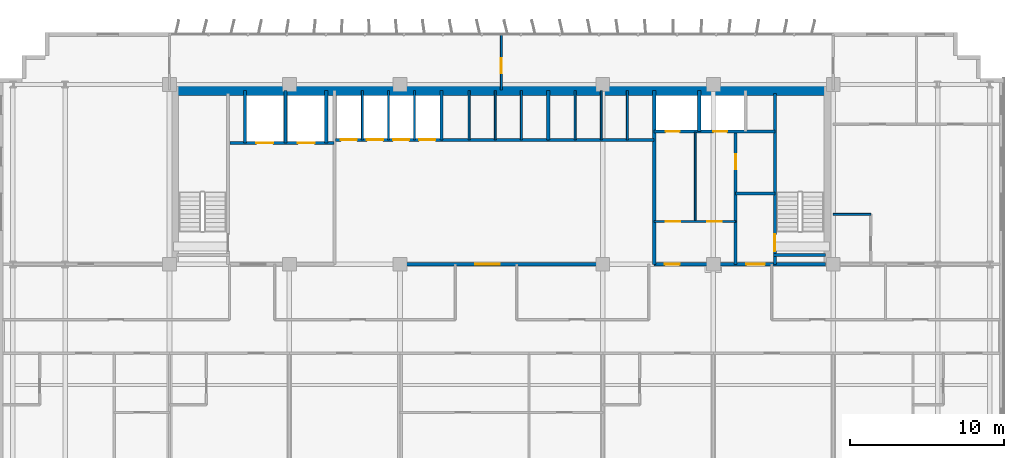
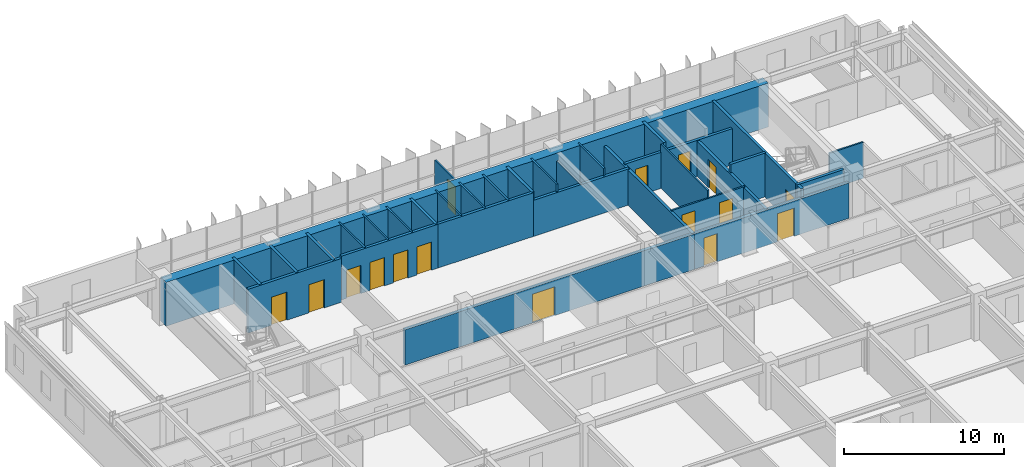
# One storey, part 18 of 22: 32 walls, 16 doors, 16 openings.
"""IFC4 building model written with IfcOpenShell, lengths in metres."""

from ifc_helpers import new_model, si_unit, direction, frame, frame_2d, origin, place, context, subcontext, project, spatial, rectangle, extrude, source, transform, mapped, material, layer, layer_set, type_object, element, fill, save


model = new_model("IFC4")

# Units and contexts
model_context = context("Model", 3, precision=1e-05, world=origin(), true_north=direction((0.0, 1.0)))
body_context = subcontext(model_context, "Body", "Model", "MODEL_VIEW")
ifc_project = project(units=[si_unit("LENGTHUNIT", "METRE"), si_unit("AREAUNIT", "SQUARE_METRE"), si_unit("VOLUMEUNIT", "CUBIC_METRE"), si_unit("PLANEANGLEUNIT", "RADIAN"), si_unit("MASSUNIT", "GRAM", prefix="KILO")], contexts=[model_context])

# Site, building, storey
site_placement = place(None, origin())
site = spatial("IfcSite", under=ifc_project, at=site_placement, CompositionType="ELEMENT")
building_placement = place(site_placement, origin())
building = spatial("IfcBuilding", under=site, at=building_placement, Name="Trelvane Seafront Commons", CompositionType="ELEMENT")
storey_placement = place(building_placement, frame((0.0, 0.0, 45.10009765625)))
storey = spatial("IfcBuildingStorey", under=building, at=storey_placement, Name="L11", CompositionType="ELEMENT", Elevation=45.10009765625)

# Wall, opening, door
ifc_material_1 = material(Name="Concrete C40/50", Category="concrete")
ifc_layer_1 = layer(ifc_material_1, 0.199951171875, Name="ARCH-WALL-FIRE200")
ifc_layer_set_1 = layer_set([ifc_layer_1], Name="Concrete C40/50")
wall_type_1 = type_object("IfcWallType", Name="ARCH-WALL-FIRE200", PredefinedType="PARTITIONING", material=ifc_layer_set_1)
wall_1_placement = place(storey_placement, frame((52.449951171875, 33.39990234375, 0.0), z_axis=(0.0, 0.0, 1.0), x_axis=(0.0, 1.0, 0.0)))
wall_1 = element("IfcWall", 1, at=wall_1_placement, inside=storey, type_object=wall_type_1, Name="W-L11-ST2V-W-033", PredefinedType="PARTITIONING", context=body_context, shape_type="SweptSolid", body=[
    extrude(rectangle(XDim=8.650146484375, YDim=0.199951171875, at=frame_2d((4.3251953125, 0.0))), origin(), (0.0, 0.0, 1.0), 2.68994140625),
])
opening_1_placement = place(wall_1_placement, frame((6.199951171875, 0.0, 0.0)))
opening_1 = element("IfcOpeningElement", 2, at=opening_1_placement, cuts=wall_1, Name="Opening FD-L11-13", PredefinedType="OPENING", context=body_context, shape_type="SweptSolid", body=[
    extrude(rectangle(XDim=0.949951171875, YDim=2.14990234375, at=frame_2d((0.47509765625, 1.074951171875))), frame((0.0, 0.10986328125, 0.0), z_axis=(0.0, -1.0, 0.0), x_axis=(1.0, 0.0, 0.0)), (0.0, 0.0, 1.0), 0.219970703125),
])
ifc_material_2 = material(Name="Powder-coated aluminium frame", Category="aluminium")
door_type_1 = type_object("IfcDoorType", Name="ARCH-DR-FD60-950", OperationType="NOTDEFINED", PredefinedType="DOOR", material=ifc_material_2)
shared_shape_1 = source(origin(), body_context, "Body", "SweptSolid", [
    extrude(rectangle(XDim=0.949951171875, YDim=2.14990234375, at=frame_2d((0.47509765625, 1.074951171875))), frame((0.0, 0.02490234375, 0.0), z_axis=(0.0, -1.0, 0.0), x_axis=(1.0, 0.0, 0.0)), (0.0, 0.0, 1.0), 0.050048828125),
])
door_1_placement = place(opening_1_placement, origin())
door_1 = element("IfcDoor", 3, at=door_1_placement, inside=storey, type_object=door_type_1, Name="L11 Cleaner Store Door", OperationType="SINGLE_SWING_LEFT", OverallHeight=2.14990234375, OverallWidth=0.949951171875, PredefinedType="DOOR", context=body_context, shape_type="MappedRepresentation", body=[
    mapped(shared_shape_1, transform((0.0, 0.0, 0.0), x_axis=(1.0, 0.0, 0.0), y_axis=(0.0, 1.0, 0.0), z_axis=(0.0, 0.0, 1.0), scale=1.0)),
])
fill(opening_1, door_1)

# Wall
wall_2_placement = place(storey_placement, frame((52.449951171875, 38.0, 0.0), z_axis=(0.0, 0.0, 1.0), x_axis=(1.0, 0.0, 0.0)))
element("IfcWall", 4, at=wall_2_placement, inside=storey, type_object=wall_type_1, Name="W-L11-ST2V-N-034", PredefinedType="PARTITIONING", context=body_context, shape_type="SweptSolid", body=[
    extrude(rectangle(XDim=2.550048828125, YDim=0.199951171875, at=frame_2d((1.27490234375, 0.0))), origin(), (0.0, 0.0, 1.0), 3.33984375),
])

# Wall, opening, door
ifc_layer_2 = layer(ifc_material_1, 0.25, Name="ARCH-WALL-FIRE250")
ifc_layer_set_2 = layer_set([ifc_layer_2], Name="Concrete C40/50")
wall_type_2 = type_object("IfcWallType", Name="ARCH-WALL-FIRE250", PredefinedType="PARTITIONING", material=ifc_layer_set_2)
wall_3_placement = place(storey_placement, frame((26.300048828125, 33.39990234375, 0.0), z_axis=(0.0, 0.0, 1.0), x_axis=(1.0, 0.0, 0.0)))
wall_3 = element("IfcWall", 5, at=wall_3_placement, inside=storey, type_object=wall_type_2, Name="W-L11-CS-PAX-029", PredefinedType="PARTITIONING", context=body_context, shape_type="SweptSolid", body=[
    extrude(rectangle(XDim=20.849853515625, YDim=0.25, at=frame_2d((10.4248046875, 0.0))), origin(), (0.0, 0.0, 1.0), 2.68994140625),
])
opening_2_placement = place(wall_3_placement, frame((9.199951171875, 0.0, 0.0)))
opening_2 = element("IfcOpeningElement", 6, at=opening_2_placement, cuts=wall_3, Name="Opening FD-L11-10", PredefinedType="OPENING", context=body_context, shape_type="SweptSolid", body=[
    extrude(rectangle(XDim=1.60009765625, YDim=2.199951171875, at=frame_2d((0.800048828125, 1.10009765625))), frame((0.0, 0.135009765625, 0.0), z_axis=(0.0, -1.0, 0.0), x_axis=(1.0, 0.0, 0.0)), (0.0, 0.0, 1.0), 0.27001953125),
])
door_type_2 = type_object("IfcDoorType", Name="ARCH-DR-FD60-1600", OperationType="DOUBLE_DOOR_SINGLE_SWING", PredefinedType="DOOR", material=ifc_material_2)
shared_shape_2 = source(origin(), body_context, "Body", "SweptSolid", [
    extrude(rectangle(XDim=1.60009765625, YDim=2.199951171875, at=frame_2d((0.800048828125, 1.10009765625))), frame((0.0, 0.02490234375, 0.0), z_axis=(0.0, -1.0, 0.0), x_axis=(1.0, 0.0, 0.0)), (0.0, 0.0, 1.0), 0.050048828125),
])
door_2_placement = place(opening_2_placement, origin())
door_2 = element("IfcDoor", 7, at=door_2_placement, inside=storey, type_object=door_type_2, Name="L11 Passenger Lift Lobby Double Door", OperationType="DOUBLE_DOOR_SINGLE_SWING", OverallHeight=2.199951171875, OverallWidth=1.60009765625, PredefinedType="DOOR", context=body_context, shape_type="MappedRepresentation", body=[
    mapped(shared_shape_2, transform((0.0, 0.0, 0.0), x_axis=(1.0, 0.0, 0.0), y_axis=(0.0, 1.0, 0.0), z_axis=(0.0, 0.0, 1.0), scale=1.0)),
])
fill(opening_2, door_2)

# Wall, openings, doors
wall_4_placement = place(storey_placement, frame((47.14990234375, 33.39990234375, 0.0), z_axis=(0.0, 0.0, 1.0), x_axis=(1.0, 0.0, 0.0)))
wall_4 = element("IfcWall", 8, at=wall_4_placement, inside=storey, type_object=wall_type_2, Name="W-L11-CS-EAST-037", PredefinedType="PARTITIONING", context=body_context, shape_type="SweptSolid", body=[
    extrude(rectangle(XDim=11.150146484375, YDim=0.25, at=frame_2d((5.5751953125, 0.0))), origin(), (0.0, 0.0, 1.0), 2.68994140625),
])
opening_3_placement = place(wall_4_placement, frame((0.699951171875, 0.0, 0.0)))
opening_3 = element("IfcOpeningElement", 9, at=opening_3_placement, cuts=wall_4, Name="Opening FD-L11-16", PredefinedType="OPENING", context=body_context, shape_type="SweptSolid", body=[
    extrude(rectangle(XDim=0.949951171875, YDim=2.14990234375, at=frame_2d((0.47509765625, 1.074951171875))), frame((0.0, 0.135009765625, 0.0), z_axis=(0.0, -1.0, 0.0), x_axis=(1.0, 0.0, 0.0)), (0.0, 0.0, 1.0), 0.27001953125),
])
opening_4_placement = place(wall_4_placement, frame((6.0, 0.0, 0.0)))
opening_4 = element("IfcOpeningElement", 10, at=opening_4_placement, cuts=wall_4, Name="Opening FD-L11-17", PredefinedType="OPENING", context=body_context, shape_type="SweptSolid", body=[
    extrude(rectangle(XDim=1.199951171875, YDim=2.14990234375, at=frame_2d((0.60009765625, 1.074951171875))), frame((0.0, 0.135009765625, 0.0), z_axis=(0.0, -1.0, 0.0), x_axis=(1.0, 0.0, 0.0)), (0.0, 0.0, 1.0), 0.27001953125),
])
door_3_placement = place(opening_3_placement, origin())
door_3 = element("IfcDoor", 11, at=door_3_placement, inside=storey, type_object=door_type_1, Name="L11 Core Service Lobby Door", OperationType="SINGLE_SWING_RIGHT", OverallHeight=2.14990234375, OverallWidth=0.949951171875, PredefinedType="DOOR", context=body_context, shape_type="MappedRepresentation", body=[
    mapped(shared_shape_1, transform((0.0, 0.0, 0.0), x_axis=(1.0, 0.0, 0.0), y_axis=(0.0, 1.0, 0.0), z_axis=(0.0, 0.0, 1.0), scale=1.0)),
])
fill(opening_3, door_3)
door_type_3 = type_object("IfcDoorType", Name="ARCH-DR-FD60-1200", OperationType="NOTDEFINED", PredefinedType="DOOR", material=ifc_material_2)
shared_shape_3 = source(origin(), body_context, "Body", "SweptSolid", [
    extrude(rectangle(XDim=1.199951171875, YDim=2.14990234375, at=frame_2d((0.60009765625, 1.074951171875))), frame((0.0, 0.02490234375, 0.0), z_axis=(0.0, -1.0, 0.0), x_axis=(1.0, 0.0, 0.0)), (0.0, 0.0, 1.0), 0.050048828125),
])
door_4_placement = place(opening_4_placement, origin())
door_4 = element("IfcDoor", 12, at=door_4_placement, inside=storey, type_object=door_type_3, Name="L11 East Stair Vestibule Fire Door", OperationType="SINGLE_SWING_LEFT", OverallHeight=2.14990234375, OverallWidth=1.199951171875, PredefinedType="DOOR", context=body_context, shape_type="MappedRepresentation", body=[
    mapped(shared_shape_3, transform((0.0, 0.0, 0.0), x_axis=(1.0, 0.0, 0.0), y_axis=(0.0, 1.0, 0.0), z_axis=(0.0, 0.0, 1.0), scale=1.0)),
])
fill(opening_4, door_4)

# Walls
ifc_material_3 = material(Name="Gypsum Drywall Acoustic Partition")
ifc_layer_3 = layer(ifc_material_3, 0.1201171875, Name="ARCH-WALL-PART120")
ifc_layer_set_3 = layer_set([ifc_layer_3], Name="Gypsum Drywall Acoustic Partition")
wall_type_3 = type_object("IfcWallType", Name="ARCH-WALL-PART120", PredefinedType="PARTITIONING", material=ifc_layer_set_3)
for number, where, z_axis, x_axis, name in (
    (13, (28.14990234375, 41.5, 0.0), (0.0, 0.0, 1.0), (0.0, 1.0, 0.0), "W-L11-PL-DIV1-016"),
    (14, (29.85009765625, 41.5, 0.0), (0.0, 0.0, 1.0), (0.0, 1.0, 0.0), "W-L11-PL-DIV2-017"),
    (15, (31.550048828125, 41.5, 0.0), (0.0, 0.0, 1.0), (0.0, 1.0, 0.0), "W-L11-PL-DIV3-018"),
    (16, (35.10009765625, 41.5, 0.0), (0.0, 0.0, 1.0), (0.0, 1.0, 0.0), "W-L11-PM-DIV1-020"),
    (17, (36.800048828125, 41.5, 0.0), (0.0, 0.0, 1.0), (0.0, 1.0, 0.0), "W-L11-PM-DIV2-021"),
    (18, (38.5, 41.5, 0.0), (0.0, 0.0, 1.0), (0.0, 1.0, 0.0), "W-L11-PM-DIV3-022"),
    (19, (42.0, 41.5, 0.0), (0.0, 0.0, 1.0), (0.0, 1.0, 0.0), "W-L11-PH-DIV1-025"),
):
    element("IfcWall", number, at=place(storey_placement, frame(where, z_axis=z_axis, x_axis=x_axis)), inside=storey, type_object=wall_type_3, Name=name, PredefinedType="PARTITIONING", context=body_context, shape_type="SweptSolid", body=[
        extrude(rectangle(XDim=3.199951171875, YDim=0.1201171875, at=frame_2d((1.60009765625, 0.0))), origin(), (0.0, 0.0, 1.0), 3.33984375),
    ])
wall_5_placement = place(storey_placement, frame((43.699951171875, 41.5, 0.0), z_axis=(0.0, 0.0, 1.0), x_axis=(0.0, 1.0, 0.0)))
element("IfcWall", 20, at=wall_5_placement, inside=storey, type_object=wall_type_3, Name="W-L11-PH-DIV2-026", PredefinedType="PARTITIONING", context=body_context, shape_type="SweptSolid", body=[
    extrude(rectangle(XDim=3.199951171875, YDim=0.1201171875, at=frame_2d((1.60009765625, 0.0))), origin(), (0.0, 0.0, 1.0), 2.751953125),
])
wall_6_placement = place(storey_placement, frame((45.39990234375, 41.5, 0.0), z_axis=(0.0, 0.0, 1.0), x_axis=(0.0, 1.0, 0.0)))
element("IfcWall", 21, at=wall_6_placement, inside=storey, type_object=wall_type_3, Name="W-L11-PH-DIV3-027", PredefinedType="PARTITIONING", context=body_context, shape_type="SweptSolid", body=[
    extrude(rectangle(XDim=3.199951171875, YDim=0.1201171875, at=frame_2d((1.60009765625, 0.0))), origin(), (0.0, 0.0, 1.0), 3.33984375),
])

# Wall, openings, doors
wall_7_placement = place(storey_placement, frame((47.14990234375, 36.179931640625, 0.0), z_axis=(0.0, 0.0, 1.0), x_axis=(1.0, 0.0, 0.0)))
wall_7 = element("IfcWall", 22, at=wall_7_placement, inside=storey, type_object=wall_type_3, Name="W-L11-CYC1-H-035", PredefinedType="PARTITIONING", context=body_context, shape_type="SweptSolid", body=[
    extrude(rectangle(XDim=5.300048828125, YDim=0.1201171875, at=frame_2d((2.64990234375, 0.0))), origin(), (0.0, 0.0, 1.0), 2.751953125),
])
opening_5_placement = place(wall_7_placement, frame((0.75, 0.0, 0.0)))
opening_5 = element("IfcOpeningElement", 23, at=opening_5_placement, cuts=wall_7, Name="Opening D-L11-14", PredefinedType="OPENING", context=body_context, shape_type="SweptSolid", body=[
    extrude(rectangle(XDim=0.949951171875, YDim=2.14990234375, at=frame_2d((0.47509765625, 1.074951171875))), frame((0.0, 0.070068359375, 0.0), z_axis=(0.0, -1.0, 0.0), x_axis=(1.0, 0.0, 0.0)), (0.0, 0.0, 1.0), 0.14013671875),
])
opening_6_placement = place(wall_7_placement, frame((3.449951171875, 0.0, 0.0)))
opening_6 = element("IfcOpeningElement", 24, at=opening_6_placement, cuts=wall_7, Name="Opening D-L11-15", PredefinedType="OPENING", context=body_context, shape_type="SweptSolid", body=[
    extrude(rectangle(XDim=0.949951171875, YDim=2.14990234375, at=frame_2d((0.47509765625, 1.074951171875))), frame((0.0, 0.070068359375, 0.0), z_axis=(0.0, -1.0, 0.0), x_axis=(1.0, 0.0, 0.0)), (0.0, 0.0, 1.0), 0.14013671875),
])
ifc_material_4 = material(Name="Acoustic timber door leaf", Category="wood")
door_type_4 = type_object("IfcDoorType", Name="ARCH-DR-INT950", OperationType="NOTDEFINED", PredefinedType="DOOR", material=ifc_material_4)
door_5_placement = place(opening_5_placement, origin())
door_5 = element("IfcDoor", 25, at=door_5_placement, inside=storey, type_object=door_type_4, Name="L11 Accessible WC Door", OperationType="SINGLE_SWING_RIGHT", OverallHeight=2.14990234375, OverallWidth=0.949951171875, PredefinedType="DOOR", context=body_context, shape_type="MappedRepresentation", body=[
    mapped(shared_shape_1, transform((0.0, 0.0, 0.0), x_axis=(1.0, 0.0, 0.0), y_axis=(0.0, 1.0, 0.0), z_axis=(0.0, 0.0, 1.0), scale=1.0)),
])
fill(opening_5, door_5)
door_6_placement = place(opening_6_placement, origin())
door_6 = element("IfcDoor", 26, at=door_6_placement, inside=storey, type_object=door_type_4, Name="L11 BMS Room Door", OperationType="SINGLE_SWING_LEFT", OverallHeight=2.14990234375, OverallWidth=0.949951171875, PredefinedType="DOOR", context=body_context, shape_type="MappedRepresentation", body=[
    mapped(shared_shape_1, transform((0.0, 0.0, 0.0), x_axis=(1.0, 0.0, 0.0), y_axis=(0.0, 1.0, 0.0), z_axis=(0.0, 0.0, 1.0), scale=1.0)),
])
fill(opening_6, door_6)

# Walls
wall_8_placement = place(storey_placement, frame((49.820068359375, 36.179931640625, 0.0), z_axis=(0.0, 0.0, 1.0), x_axis=(0.0, 1.0, 0.0)))
element("IfcWall", 27, at=wall_8_placement, inside=storey, type_object=wall_type_3, Name="W-L11-CYC1-V-036", PredefinedType="PARTITIONING", context=body_context, shape_type="SweptSolid", body=[
    extrude(rectangle(XDim=5.820068359375, YDim=0.1201171875, at=frame_2d((2.91015625, 0.0))), origin(), (0.0, 0.0, 1.0), 3.33984375),
])
wall_9_placement = place(storey_placement, frame((58.800048828125, 36.64990234375, 0.0), z_axis=(0.0, 0.0, 1.0), x_axis=(1.0, 0.0, 0.0)))
element("IfcWall", 28, at=wall_9_placement, inside=storey, type_object=wall_type_3, Name="W-L11-NE-BN-051", PredefinedType="PARTITIONING", context=body_context, shape_type="SweptSolid", body=[
    extrude(rectangle(XDim=2.449951171875, YDim=0.1201171875, at=frame_2d((1.22509765625, 0.0))), origin(), (0.0, 0.0, 1.0), 2.751953125),
])

# Wall, opening, door
wall_10_placement = place(storey_placement, frame((37.199951171875, 44.75, 0.0), z_axis=(0.0, 0.0, 1.0), x_axis=(0.0, 1.0, 0.0)))
wall_10 = element("IfcWall", 29, at=wall_10_placement, inside=storey, type_object=wall_type_3, Name="W-L11-N-MID-DV-056", PredefinedType="PARTITIONING", context=body_context, shape_type="SweptSolid", body=[
    extrude(rectangle(XDim=3.610107421875, YDim=0.1201171875, at=frame_2d((1.80517578125, 0.0))), origin(), (0.0, 0.0, 1.0), 2.68994140625),
])
opening_7_placement = place(wall_10_placement, frame((1.10009765625, 0.0, 0.0)))
opening_7 = element("IfcOpeningElement", 30, at=opening_7_placement, cuts=wall_10, Name="Opening D-L11-28", PredefinedType="OPENING", context=body_context, shape_type="SweptSolid", body=[
    extrude(rectangle(XDim=0.949951171875, YDim=2.14990234375, at=frame_2d((0.47509765625, 1.074951171875))), frame((0.0, 0.070068359375, 0.0), z_axis=(0.0, -1.0, 0.0), x_axis=(1.0, 0.0, 0.0)), (0.0, 0.0, 1.0), 0.14013671875),
])
door_7_placement = place(opening_7_placement, origin())
door_7 = element("IfcDoor", 31, at=door_7_placement, inside=storey, type_object=door_type_4, Name="L11 Door 28", OperationType="SINGLE_SWING_RIGHT", OverallHeight=2.14990234375, OverallWidth=0.949951171875, PredefinedType="DOOR", context=body_context, shape_type="MappedRepresentation", body=[
    mapped(shared_shape_1, transform((0.0, 0.0, 0.0), x_axis=(1.0, 0.0, 0.0), y_axis=(0.0, 1.0, 0.0), z_axis=(0.0, 0.0, 1.0), scale=1.0)),
])
fill(opening_7, door_7)

# Wall, openings, doors
ifc_layer_4 = layer(ifc_material_1, 0.199951171875, Name="ARCH-WALL-SHAFT200")
ifc_layer_set_4 = layer_set([ifc_layer_4], Name="Concrete C40/50")
wall_type_4 = type_object("IfcWallType", Name="ARCH-WALL-SHAFT200", PredefinedType="SOLIDWALL", material=ifc_layer_set_4)
wall_11_placement = place(storey_placement, frame((19.550048828125, 41.300048828125, 0.0), z_axis=(0.0, 0.0, 1.0), x_axis=(1.0, 0.0, 0.0)))
wall_11 = element("IfcWall", 32, at=wall_11_placement, inside=storey, type_object=wall_type_4, Name="W-L11-FFL-FRONT-008", PredefinedType="SOLIDWALL", context=body_context, shape_type="SweptSolid", body=[
    extrude(rectangle(XDim=6.75, YDim=0.199951171875, at=frame_2d((3.375, 0.0))), origin(), (0.0, 0.0, 1.0), 3.33984375),
])
opening_8_placement = place(wall_11_placement, frame((1.699951171875, 0.0, 0.0)))
opening_8 = element("IfcOpeningElement", 33, at=opening_8_placement, cuts=wall_11, Name="Opening LD-FF1-L11", PredefinedType="OPENING", context=body_context, shape_type="SweptSolid", body=[
    extrude(rectangle(XDim=1.10009765625, YDim=2.14990234375, at=frame_2d((0.550048828125, 1.074951171875))), frame((0.0, 0.10986328125, 0.0), z_axis=(0.0, -1.0, 0.0), x_axis=(1.0, 0.0, 0.0)), (0.0, 0.0, 1.0), 0.219970703125),
])
opening_9_placement = place(wall_11_placement, frame((4.39990234375, 0.0, 0.0)))
opening_9 = element("IfcOpeningElement", 34, at=opening_9_placement, cuts=wall_11, Name="Opening LD-FF2-L11", PredefinedType="OPENING", context=body_context, shape_type="SweptSolid", body=[
    extrude(rectangle(XDim=1.10009765625, YDim=2.14990234375, at=frame_2d((0.550048828125, 1.074951171875))), frame((0.0, 0.10986328125, 0.0), z_axis=(0.0, -1.0, 0.0), x_axis=(1.0, 0.0, 0.0)), (0.0, 0.0, 1.0), 0.219970703125),
])
ifc_material_5 = material(Name="Stainless steel balustrade", Category="steel")
door_type_5 = type_object("IfcDoorType", Name="ARCH-DR-LD1100", OperationType="DOUBLE_DOOR_SLIDING", PredefinedType="DOOR", material=ifc_material_5)
shared_shape_4 = source(origin(), body_context, "Body", "SweptSolid", [
    extrude(rectangle(XDim=1.10009765625, YDim=2.14990234375, at=frame_2d((0.550048828125, 1.074951171875))), frame((0.0, 0.02490234375, 0.0), z_axis=(0.0, -1.0, 0.0), x_axis=(1.0, 0.0, 0.0)), (0.0, 0.0, 1.0), 0.050048828125),
])
door_8_placement = place(opening_8_placement, origin())
door_8 = element("IfcDoor", 35, at=door_8_placement, inside=storey, type_object=door_type_5, Name="L11 Firefighting Lift FFL-1 Landing Door", OperationType="DOUBLE_DOOR_SLIDING", OverallHeight=2.14990234375, OverallWidth=1.10009765625, PredefinedType="DOOR", context=body_context, shape_type="MappedRepresentation", body=[
    mapped(shared_shape_4, transform((0.0, 0.0, 0.0), x_axis=(1.0, 0.0, 0.0), y_axis=(0.0, 1.0, 0.0), z_axis=(0.0, 0.0, 1.0), scale=1.0)),
])
fill(opening_8, door_8)
door_9_placement = place(opening_9_placement, origin())
door_9 = element("IfcDoor", 36, at=door_9_placement, inside=storey, type_object=door_type_5, Name="L11 Firefighting Lift FFL-2 Landing Door", OperationType="DOUBLE_DOOR_SLIDING", OverallHeight=2.14990234375, OverallWidth=1.10009765625, PredefinedType="DOOR", context=body_context, shape_type="MappedRepresentation", body=[
    mapped(shared_shape_4, transform((0.0, 0.0, 0.0), x_axis=(1.0, 0.0, 0.0), y_axis=(0.0, 1.0, 0.0), z_axis=(0.0, 0.0, 1.0), scale=1.0)),
])
fill(opening_9, door_9)

# Walls
for number, where, z_axis, x_axis, name in (
    (37, (20.5, 41.300048828125, 0.0), (0.0, 0.0, 1.0), (0.0, 1.0, 0.0), "W-L11-FFL-SH-W-009"),
    (38, (23.14990234375, 41.300048828125, 0.0), (0.0, 0.0, 1.0), (0.0, 1.0, 0.0), "W-L11-FFL-DIV-010"),
    (39, (25.800048828125, 41.300048828125, 0.0), (0.0, 0.0, 1.0), (0.0, 1.0, 0.0), "W-L11-FFL-SH-E-011"),
):
    element("IfcWall", number, at=place(storey_placement, frame(where, z_axis=z_axis, x_axis=x_axis)), inside=storey, type_object=wall_type_4, Name=name, PredefinedType="SOLIDWALL", context=body_context, shape_type="SweptSolid", body=[
        extrude(rectangle(XDim=3.39990234375, YDim=0.199951171875, at=frame_2d((1.699951171875, 0.0))), origin(), (0.0, 0.0, 1.0), 3.33984375),
    ])

# Wall, openings, doors
wall_12_placement = place(storey_placement, frame((26.39990234375, 41.5, 0.0), z_axis=(0.0, 0.0, 1.0), x_axis=(1.0, 0.0, 0.0)))
wall_12 = element("IfcWall", 40, at=wall_12_placement, inside=storey, type_object=wall_type_4, Name="W-L11-PL-FRONT-014", PredefinedType="SOLIDWALL", context=body_context, shape_type="SweptSolid", body=[
    extrude(rectangle(XDim=6.9501953125, YDim=0.199951171875, at=frame_2d((3.47509765625, 0.0))), origin(), (0.0, 0.0, 1.0), 3.33984375),
])
opening_10_placement = place(wall_12_placement, frame((0.35009765625, 0.0, 0.0)))
opening_10 = element("IfcOpeningElement", 41, at=opening_10_placement, cuts=wall_12, Name="Opening LD-PL1-L11", PredefinedType="OPENING", context=body_context, shape_type="SweptSolid", body=[
    extrude(rectangle(XDim=1.050048828125, YDim=2.14990234375, at=frame_2d((0.52490234375, 1.074951171875))), frame((0.0, 0.10986328125, 0.0), z_axis=(0.0, -1.0, 0.0), x_axis=(1.0, 0.0, 0.0)), (0.0, 0.0, 1.0), 0.219970703125),
])
opening_11_placement = place(wall_12_placement, frame((2.050048828125, 0.0, 0.0)))
opening_11 = element("IfcOpeningElement", 42, at=opening_11_placement, cuts=wall_12, Name="Opening LD-PL2-L11", PredefinedType="OPENING", context=body_context, shape_type="SweptSolid", body=[
    extrude(rectangle(XDim=1.050048828125, YDim=2.14990234375, at=frame_2d((0.52490234375, 1.074951171875))), frame((0.0, 0.10986328125, 0.0), z_axis=(0.0, -1.0, 0.0), x_axis=(1.0, 0.0, 0.0)), (0.0, 0.0, 1.0), 0.219970703125),
])
opening_12_placement = place(wall_12_placement, frame((3.75, 0.0, 0.0)))
opening_12 = element("IfcOpeningElement", 43, at=opening_12_placement, cuts=wall_12, Name="Opening LD-PL3-L11", PredefinedType="OPENING", context=body_context, shape_type="SweptSolid", body=[
    extrude(rectangle(XDim=1.050048828125, YDim=2.14990234375, at=frame_2d((0.52490234375, 1.074951171875))), frame((0.0, 0.10986328125, 0.0), z_axis=(0.0, -1.0, 0.0), x_axis=(1.0, 0.0, 0.0)), (0.0, 0.0, 1.0), 0.219970703125),
])
opening_13_placement = place(wall_12_placement, frame((5.449951171875, 0.0, 0.0)))
opening_13 = element("IfcOpeningElement", 44, at=opening_13_placement, cuts=wall_12, Name="Opening LD-PL4-L11", PredefinedType="OPENING", context=body_context, shape_type="SweptSolid", body=[
    extrude(rectangle(XDim=1.050048828125, YDim=2.14990234375, at=frame_2d((0.52490234375, 1.074951171875))), frame((0.0, 0.10986328125, 0.0), z_axis=(0.0, -1.0, 0.0), x_axis=(1.0, 0.0, 0.0)), (0.0, 0.0, 1.0), 0.219970703125),
])
door_type_6 = type_object("IfcDoorType", Name="ARCH-DR-LD1050", OperationType="DOUBLE_DOOR_SLIDING", PredefinedType="DOOR", material=ifc_material_5)
shared_shape_5 = source(origin(), body_context, "Body", "SweptSolid", [
    extrude(rectangle(XDim=1.050048828125, YDim=2.14990234375, at=frame_2d((0.52490234375, 1.074951171875))), frame((0.0, 0.02490234375, 0.0), z_axis=(0.0, -1.0, 0.0), x_axis=(1.0, 0.0, 0.0)), (0.0, 0.0, 1.0), 0.050048828125),
])
door_10_placement = place(opening_10_placement, origin())
door_10 = element("IfcDoor", 45, at=door_10_placement, inside=storey, type_object=door_type_6, Name="L11 Passenger Lift PL-1 Landing Door", OperationType="DOUBLE_DOOR_SLIDING", OverallHeight=2.14990234375, OverallWidth=1.050048828125, PredefinedType="DOOR", context=body_context, shape_type="MappedRepresentation", body=[
    mapped(shared_shape_5, transform((0.0, 0.0, 0.0), x_axis=(1.0, 0.0, 0.0), y_axis=(0.0, 1.0, 0.0), z_axis=(0.0, 0.0, 1.0), scale=1.0)),
])
fill(opening_10, door_10)
door_11_placement = place(opening_11_placement, origin())
door_11 = element("IfcDoor", 46, at=door_11_placement, inside=storey, type_object=door_type_6, Name="L11 Passenger Lift PL-2 Landing Door", OperationType="DOUBLE_DOOR_SLIDING", OverallHeight=2.14990234375, OverallWidth=1.050048828125, PredefinedType="DOOR", context=body_context, shape_type="MappedRepresentation", body=[
    mapped(shared_shape_5, transform((0.0, 0.0, 0.0), x_axis=(1.0, 0.0, 0.0), y_axis=(0.0, 1.0, 0.0), z_axis=(0.0, 0.0, 1.0), scale=1.0)),
])
fill(opening_11, door_11)
door_12_placement = place(opening_12_placement, origin())
door_12 = element("IfcDoor", 47, at=door_12_placement, inside=storey, type_object=door_type_6, Name="L11 Passenger Lift PL-3 Landing Door", OperationType="DOUBLE_DOOR_SLIDING", OverallHeight=2.14990234375, OverallWidth=1.050048828125, PredefinedType="DOOR", context=body_context, shape_type="MappedRepresentation", body=[
    mapped(shared_shape_5, transform((0.0, 0.0, 0.0), x_axis=(1.0, 0.0, 0.0), y_axis=(0.0, 1.0, 0.0), z_axis=(0.0, 0.0, 1.0), scale=1.0)),
])
fill(opening_12, door_12)
door_13_placement = place(opening_13_placement, origin())
door_13 = element("IfcDoor", 48, at=door_13_placement, inside=storey, type_object=door_type_6, Name="L11 Passenger Lift PL-4 Landing Door", OperationType="DOUBLE_DOOR_SLIDING", OverallHeight=2.14990234375, OverallWidth=1.050048828125, PredefinedType="DOOR", context=body_context, shape_type="MappedRepresentation", body=[
    mapped(shared_shape_5, transform((0.0, 0.0, 0.0), x_axis=(1.0, 0.0, 0.0), y_axis=(0.0, 1.0, 0.0), z_axis=(0.0, 0.0, 1.0), scale=1.0)),
])
fill(opening_13, door_13)

# Walls
wall_13_placement = place(storey_placement, frame((33.300048828125, 41.5, 0.0), z_axis=(0.0, 0.0, 1.0), x_axis=(0.0, 1.0, 0.0)))
element("IfcWall", 49, at=wall_13_placement, inside=storey, type_object=wall_type_4, Name="W-L11-PL-EAST-SH-015", PredefinedType="SOLIDWALL", context=body_context, shape_type="SweptSolid", body=[
    extrude(rectangle(XDim=3.199951171875, YDim=0.199951171875, at=frame_2d((1.60009765625, 0.0))), origin(), (0.0, 0.0, 1.0), 3.33984375),
])
wall_14_placement = place(storey_placement, frame((33.35009765625, 41.5, 0.0), z_axis=(0.0, 0.0, 1.0), x_axis=(1.0, 0.0, 0.0)))
element("IfcWall", 50, at=wall_14_placement, inside=storey, type_object=wall_type_4, Name="W-L11-PM-FRONT-019", PredefinedType="SOLIDWALL", context=body_context, shape_type="SweptSolid", body=[
    extrude(rectangle(XDim=6.89990234375, YDim=0.199951171875, at=frame_2d((3.449951171875, 0.0))), origin(), (0.0, 0.0, 1.0), 3.33984375),
])
wall_15_placement = place(storey_placement, frame((40.25, 41.5, 0.0), z_axis=(0.0, 0.0, 1.0), x_axis=(1.0, 0.0, 0.0)))
element("IfcWall", 51, at=wall_15_placement, inside=storey, type_object=wall_type_4, Name="W-L11-PH-FRONT-023", PredefinedType="SOLIDWALL", context=body_context, shape_type="SweptSolid", body=[
    extrude(rectangle(XDim=6.89990234375, YDim=0.199951171875, at=frame_2d((3.449951171875, 0.0))), origin(), (0.0, 0.0, 1.0), 2.751953125),
])
wall_16_placement = place(storey_placement, frame((40.25, 41.5, 0.0), z_axis=(0.0, 0.0, 1.0), x_axis=(0.0, 1.0, 0.0)))
element("IfcWall", 52, at=wall_16_placement, inside=storey, type_object=wall_type_4, Name="W-L11-PH-WEST-SH-024", PredefinedType="SOLIDWALL", context=body_context, shape_type="SweptSolid", body=[
    extrude(rectangle(XDim=3.199951171875, YDim=0.199951171875, at=frame_2d((1.60009765625, 0.0))), origin(), (0.0, 0.0, 1.0), 3.33984375),
])
wall_17_placement = place(storey_placement, frame((47.14990234375, 33.39990234375, 0.0), z_axis=(0.0, 0.0, 1.0), x_axis=(0.0, 1.0, 0.0)))
element("IfcWall", 53, at=wall_17_placement, inside=storey, type_object=wall_type_4, Name="W-L11-PH-EAST-028", PredefinedType="SOLIDWALL", context=body_context, shape_type="SweptSolid", body=[
    extrude(rectangle(XDim=11.300048828125, YDim=0.199951171875, at=frame_2d((5.64990234375, 0.0))), origin(), (0.0, 0.0, 1.0), 2.68994140625),
])

# Wall, openings, doors
wall_18_placement = place(storey_placement, frame((47.14990234375, 42.050048828125, 0.0), z_axis=(0.0, 0.0, 1.0), x_axis=(1.0, 0.0, 0.0)))
wall_18 = element("IfcWall", 54, at=wall_18_placement, inside=storey, type_object=wall_type_4, Name="W-L11-RSR-S-030", PredefinedType="SOLIDWALL", context=body_context, shape_type="SweptSolid", body=[
    extrude(rectangle(XDim=7.85009765625, YDim=0.199951171875, at=frame_2d((3.925048828125, 0.0))), origin(), (0.0, 0.0, 1.0), 2.751953125),
])
opening_14_placement = place(wall_18_placement, frame((0.75, 0.0, 0.0)))
opening_14 = element("IfcOpeningElement", 55, at=opening_14_placement, cuts=wall_18, Name="Opening FD-L11-11", PredefinedType="OPENING", context=body_context, shape_type="SweptSolid", body=[
    extrude(rectangle(XDim=0.89990234375, YDim=2.10009765625, at=frame_2d((0.449951171875, 1.050048828125))), frame((0.0, 0.10986328125, 0.0), z_axis=(0.0, -1.0, 0.0), x_axis=(1.0, 0.0, 0.0)), (0.0, 0.0, 1.0), 0.219970703125),
])
opening_15_placement = place(wall_18_placement, frame((3.85009765625, 0.0, 0.0)))
opening_15 = element("IfcOpeningElement", 56, at=opening_15_placement, cuts=wall_18, Name="Opening FD-L11-12", PredefinedType="OPENING", context=body_context, shape_type="SweptSolid", body=[
    extrude(rectangle(XDim=0.89990234375, YDim=2.10009765625, at=frame_2d((0.449951171875, 1.050048828125))), frame((0.0, 0.10986328125, 0.0), z_axis=(0.0, -1.0, 0.0), x_axis=(1.0, 0.0, 0.0)), (0.0, 0.0, 1.0), 0.219970703125),
])
door_type_7 = type_object("IfcDoorType", Name="ARCH-DR-FD60-900", OperationType="NOTDEFINED", PredefinedType="DOOR", material=ifc_material_2)
shared_shape_6 = source(origin(), body_context, "Body", "SweptSolid", [
    extrude(rectangle(XDim=0.89990234375, YDim=2.10009765625, at=frame_2d((0.449951171875, 1.050048828125))), frame((0.0, 0.02490234375, 0.0), z_axis=(0.0, -1.0, 0.0), x_axis=(1.0, 0.0, 0.0)), (0.0, 0.0, 1.0), 0.050048828125),
])
door_14_placement = place(opening_14_placement, origin())
door_14 = element("IfcDoor", 57, at=door_14_placement, inside=storey, type_object=door_type_7, Name="L11 Electrical Riser Access Door", OperationType="SINGLE_SWING_LEFT", OverallHeight=2.10009765625, OverallWidth=0.89990234375, PredefinedType="DOOR", context=body_context, shape_type="MappedRepresentation", body=[
    mapped(shared_shape_6, transform((0.0, 0.0, 0.0), x_axis=(1.0, 0.0, 0.0), y_axis=(0.0, 1.0, 0.0), z_axis=(0.0, 0.0, 1.0), scale=1.0)),
])
fill(opening_14, door_14)
door_15_placement = place(opening_15_placement, origin())
door_15 = element("IfcDoor", 58, at=door_15_placement, inside=storey, type_object=door_type_7, Name="L11 Mechanical Riser Access Door", OperationType="SINGLE_SWING_RIGHT", OverallHeight=2.10009765625, OverallWidth=0.89990234375, PredefinedType="DOOR", context=body_context, shape_type="MappedRepresentation", body=[
    mapped(shared_shape_6, transform((0.0, 0.0, 0.0), x_axis=(1.0, 0.0, 0.0), y_axis=(0.0, 1.0, 0.0), z_axis=(0.0, 0.0, 1.0), scale=1.0)),
])
fill(opening_15, door_15)

# Walls
wall_19_placement = place(storey_placement, frame((50.080078125, 42.050048828125, 0.0), z_axis=(0.0, 0.0, 1.0), x_axis=(0.0, 1.0, 0.0)))
element("IfcWall", 59, at=wall_19_placement, inside=storey, type_object=wall_type_4, Name="W-L11-RSR-DIV-031", PredefinedType="SOLIDWALL", context=body_context, shape_type="SweptSolid", body=[
    extrude(rectangle(XDim=2.64990234375, YDim=0.199951171875, at=frame_2d((1.324951171875, 0.0))), origin(), (0.0, 0.0, 1.0), 3.33984375),
])
ifc_material_6 = material(Name="Concrete C60/75", Category="concrete")
ifc_layer_5 = layer(ifc_material_6, 0.699951171875, Name="STR-WALL-CORE700")
ifc_layer_set_5 = layer_set([ifc_layer_5], Name="Concrete C60/75")
wall_type_5 = type_object("IfcWallType", Name="STR-WALL-CORE700", PredefinedType="SHEAR", material=ifc_layer_set_5)
wall_20_placement = place(storey_placement, frame((15.5, 44.75, 0.0), z_axis=(0.0, 0.0, 1.0), x_axis=(1.0, 0.0, 0.0)))
element("IfcWall", 60, at=wall_20_placement, inside=storey, type_object=wall_type_5, Name="W-L11-CN-ALL-001", PredefinedType="SHEAR", context=body_context, shape_type="SweptSolid", body=[
    extrude(rectangle(XDim=43.39990234375, YDim=0.699951171875, at=frame_2d((21.699951171875, 0.0))), origin(), (0.0, 0.0, 1.0), 3.33984375),
])
ifc_material_7 = material(Name="Concrete C50/60", Category="concrete")
ifc_layer_6 = layer(ifc_material_7, 0.199951171875, Name="STR-WALL-STAIR200")
ifc_layer_set_6 = layer_set([ifc_layer_6], Name="Concrete C50/60")
wall_type_6 = type_object("IfcWallType", Name="STR-WALL-STAIR200", PredefinedType="SHEAR", material=ifc_layer_set_6)
wall_21_placement = place(storey_placement, frame((54.89990234375, 34.0, 0.0), z_axis=(0.0, 0.0, 1.0), x_axis=(1.0, 0.0, 0.0)))
element("IfcWall", 61, at=wall_21_placement, inside=storey, type_object=wall_type_6, Name="W-L11-ST2-S-006", PredefinedType="SHEAR", context=body_context, shape_type="SweptSolid", body=[
    extrude(rectangle(XDim=3.400146484375, YDim=0.199951171875, at=frame_2d((1.7001953125, 0.0))), origin(), (0.0, 0.0, 1.0), 3.33984375),
])

# Wall, opening, door
wall_22_placement = place(storey_placement, frame((55.0, 33.39990234375, 0.0), z_axis=(0.0, 0.0, 1.0), x_axis=(0.0, 1.0, 0.0)))
wall_22 = element("IfcWall", 62, at=wall_22_placement, inside=storey, type_object=wall_type_6, Name="W-L11-ST2-W-007", PredefinedType="SHEAR", context=body_context, shape_type="SweptSolid", body=[
    extrude(rectangle(XDim=11.10009765625, YDim=0.199951171875, at=frame_2d((5.550048828125, 0.0))), origin(), (0.0, 0.0, 1.0), 3.33984375),
])
opening_16_placement = place(wall_22_placement, frame((0.85009765625, 0.0, 0.0)))
opening_16 = element("IfcOpeningElement", 63, at=opening_16_placement, cuts=wall_22, Name="Opening ST-D2-L11", PredefinedType="OPENING", context=body_context, shape_type="SweptSolid", body=[
    extrude(rectangle(XDim=1.10009765625, YDim=2.14990234375, at=frame_2d((0.550048828125, 1.074951171875))), frame((0.0, 0.10986328125, 0.0), z_axis=(0.0, -1.0, 0.0), x_axis=(1.0, 0.0, 0.0)), (0.0, 0.0, 1.0), 0.219970703125),
])
door_type_8 = type_object("IfcDoorType", Name="ARCH-DR-FD90-1100", OperationType="NOTDEFINED", PredefinedType="DOOR", material=ifc_material_2)
door_16_placement = place(opening_16_placement, origin())
door_16 = element("IfcDoor", 64, at=door_16_placement, inside=storey, type_object=door_type_8, Name="L11 Stair ST-2 Vestibule Fire Door", OperationType="SINGLE_SWING_RIGHT", OverallHeight=2.14990234375, OverallWidth=1.10009765625, PredefinedType="DOOR", context=body_context, shape_type="MappedRepresentation", body=[
    mapped(shared_shape_4, transform((0.0, 0.0, 0.0), x_axis=(1.0, 0.0, 0.0), y_axis=(0.0, 1.0, 0.0), z_axis=(0.0, 0.0, 1.0), scale=1.0)),
])
fill(opening_16, door_16)

save(model, "model.ifc")
